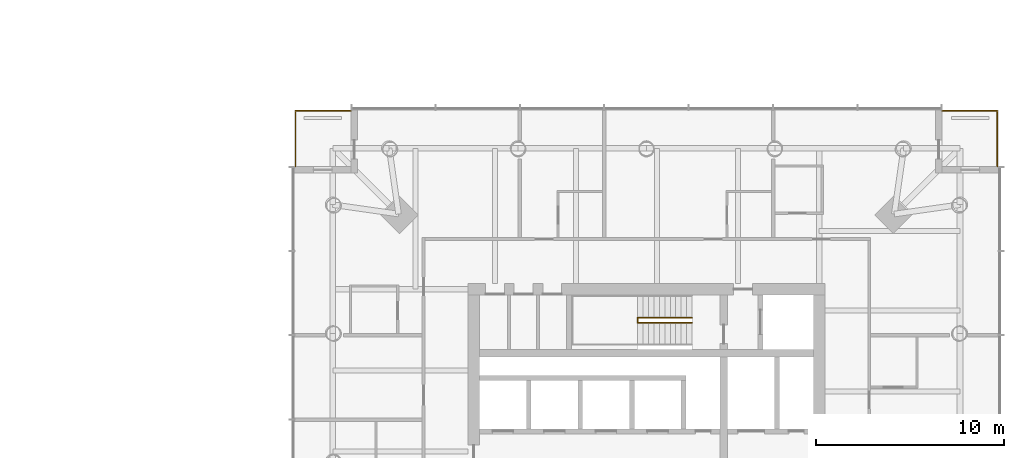
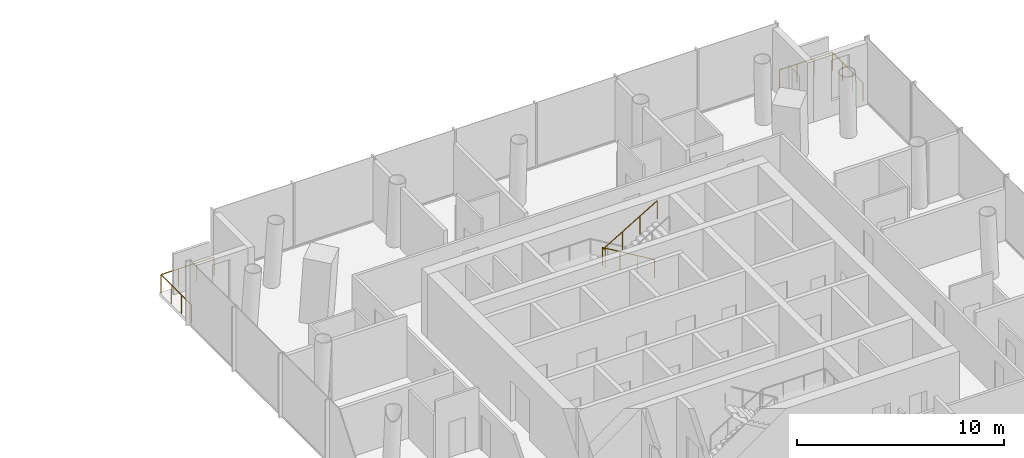
# One storey, part 18 of 18: 3 railings.
"""IFC4 building model written with IfcOpenShell, lengths in metres."""

import ifcopenshell
import ifcopenshell.guid

model = None  # the IFC model being written
_history = None  # IfcOwnerHistory: only IFC2X3 demands one
_inside = {}  # id of a spatial element -> (the spatial element, [elements in it])
_under = {}  # id of a project, library or spatial element -> (it, [spatial elements below it])
_declared = {}  # id of a project -> (the project, [libraries it declares])
_typed = {}  # id of a type object -> (the type object, [elements of that type])
_made_of = {}  # id of a material, layer set ... -> (it, [elements and type objects made of it])


def new_model(schema):
    """Start an empty IFC model of exactly this schema.

    Asked for "IFC4X3", IfcOpenShell would pick the latest addendum, in which some entities
    have other attributes; the version numbers below select the first issue.
    IFC2X3 requires an IfcOwnerHistory on every rooted entity: one is made here for all.
    """
    global model, _history
    if schema == "IFC4X3":
        model = ifcopenshell.file(schema_version=(4, 3, 0, 0))
    else:
        model = ifcopenshell.file(schema=schema)
    _inside.clear()
    _under.clear()
    _declared.clear()
    _typed.clear()
    _made_of.clear()
    _history = None
    if model.schema == "IFC2X3":
        org = make("IfcOrganization", Name="unknown")
        user = make(
            "IfcPersonAndOrganization",
            ThePerson=make("IfcPerson", FamilyName="unknown"),
            TheOrganization=org,
        )
        app = make(
            "IfcApplication",
            ApplicationDeveloper=org,
            Version="unknown",
            ApplicationFullName="unknown",
            ApplicationIdentifier="unknown",
        )
        _history = make(
            "IfcOwnerHistory",
            OwningUser=user,
            OwningApplication=app,
            ChangeAction="ADDED",
            CreationDate=0,
        )
    return model


def make(cls, **values):
    """One entity of the class cls with the attributes given. An attribute that is None is left unset."""
    return model.create_entity(
        cls, **{name: value for name, value in values.items() if value is not None}
    )


def rooted(cls, **values):
    """An entity with a GlobalId (a new one), such as an element, a storey or a relation."""
    return make(cls, GlobalId=ifcopenshell.guid.new(), OwnerHistory=_history, **values)


def si_unit(unit_type, name, prefix=None):
    """IfcSIUnit, for example si_unit("LENGTHUNIT", "METRE", prefix="MILLI")."""
    return make("IfcSIUnit", UnitType=unit_type, Prefix=prefix, Name=name)


def assignment(units):
    """IfcUnitAssignment: the units of a project."""
    return None if units is None else make("IfcUnitAssignment", Units=units)


def point(xyz):
    """IfcCartesianPoint."""
    return None if xyz is None else make("IfcCartesianPoint", Coordinates=xyz)


def direction(xyz):
    """IfcDirection."""
    return None if xyz is None else make("IfcDirection", DirectionRatios=xyz)


def frame(location, z_axis=None, x_axis=None):
    """IfcAxis2Placement3D, a coordinate frame: its origin and axes. An axis left out is left unset."""
    return make(
        "IfcAxis2Placement3D",
        Location=point(location),
        Axis=direction(z_axis),
        RefDirection=direction(x_axis),
    )


def frame_2d(location, x_axis=None):
    """IfcAxis2Placement2D, a coordinate frame in the plane: its origin and x axis."""
    return make(
        "IfcAxis2Placement2D", Location=point(location), RefDirection=direction(x_axis)
    )


def origin():
    """The frame at (0, 0, 0) with its axes left unset."""
    return frame((0.0, 0.0, 0.0))


def origin_2d():
    """The frame at (0, 0) in the plane with its x axis left unset."""
    return frame_2d((0.0, 0.0))


def place(relative_to, where):
    """IfcLocalPlacement: puts the frame where relative to a parent placement (None: the world)."""
    return make(
        "IfcLocalPlacement", PlacementRelTo=relative_to, RelativePlacement=where
    )


def context(
    kind, dimensions, precision=None, world=None, true_north=None, identifier=None
):
    """IfcGeometricRepresentationContext, for example the 3D "Model" context."""
    return make(
        "IfcGeometricRepresentationContext",
        ContextIdentifier=identifier,
        ContextType=kind,
        CoordinateSpaceDimension=dimensions,
        Precision=precision,
        WorldCoordinateSystem=world,
        TrueNorth=true_north,
    )


def subcontext(parent, identifier, kind, view, scale=None):
    """IfcGeometricRepresentationSubContext, for example "Body" below "Model"."""
    return make(
        "IfcGeometricRepresentationSubContext",
        ContextIdentifier=identifier,
        ContextType=kind,
        ParentContext=parent,
        TargetScale=scale,
        TargetView=view,
    )


def project(units=None, contexts=None):
    """IfcProject with its units and contexts."""
    return rooted(
        "IfcProject",
        Name="project",
        RepresentationContexts=contexts,
        UnitsInContext=assignment(units),
    )


def spatial(cls, under=None, at=None, **own):
    """A site, building, storey or space (cls), placed at a placement, below another one or the project."""
    s = rooted(cls, ObjectPlacement=at, **own)
    if under is not None:
        _under.setdefault(under.id(), (under, []))[1].append(s)
    return s


def profile(cls, at=None, kind="AREA", **sizes):
    """A parametric profile (cls). Its sizes go by their IFC names, for example OverallWidth=200.0."""
    return make(cls, ProfileType=kind, Position=at, **sizes)


def circle(**sizes):
    """IfcCircleProfileDef."""
    return profile("IfcCircleProfileDef", **sizes)


def extrude(swept, where, along, depth):
    """IfcExtrudedAreaSolid: the profile swept, set in the frame where, extruded along a direction by depth."""
    return make(
        "IfcExtrudedAreaSolid",
        SweptArea=swept,
        Position=where,
        ExtrudedDirection=direction(along),
        Depth=depth,
    )


def shape(context_of_items, identifier, shape_type, items):
    """IfcShapeRepresentation: the items that make up one representation, for example the "Body"."""
    return make(
        "IfcShapeRepresentation",
        ContextOfItems=context_of_items,
        RepresentationIdentifier=identifier,
        RepresentationType=shape_type,
        Items=items,
    )


def material(Name=None, Category=None):
    """IfcMaterial."""
    return make("IfcMaterial", Name=Name, Category=Category)


def made_of(thing, what):
    """Note that an element or type object is made of a material, layer set ...; save() writes the relation."""
    if what is not None:
        _made_of.setdefault(what.id(), (what, []))[1].append(thing)
    return thing


def type_object(cls, material=None, **own):
    """A type object (cls), such as IfcWallType, which elements share."""
    return made_of(rooted(cls, **own), material)


def element(
    cls,
    number,
    at=None,
    inside=None,
    cuts=None,
    type_object=None,
    material=None,
    context=None,
    identifier="Body",
    shape_type=None,
    held_by="IfcProductDefinitionShape",
    body=None,
    shapes=None,
    **own,
):
    """One element of the class cls, such as IfcWall. Its Tag is "e" and its number.

    at: its placement. inside: the storey or other place that contains it. cuts: it is an
    opening in that element (IfcRelVoidsElement). A single representation is given by context,
    identifier, shape_type and body (its items); several are given by shapes. held_by: the class
    of the entity that holds the representations. save() writes the other relations.
    """
    e = rooted(cls, Tag="e%d" % number, ObjectPlacement=at, **own)
    if body is not None:
        shapes = [shape(context, identifier, shape_type, body)]
    if shapes is not None:
        e.Representation = make(held_by, Representations=shapes)
    if inside is not None:
        _inside.setdefault(inside.id(), (inside, []))[1].append(e)
    if cuts is not None:
        rooted(
            "IfcRelVoidsElement", RelatingBuildingElement=cuts, RelatedOpeningElement=e
        )
    if type_object is not None:
        _typed.setdefault(type_object.id(), (type_object, []))[1].append(e)
    return made_of(e, material)


def aggregate(whole, parts):
    """IfcRelAggregates: a whole, such as a stair, and the parts it consists of."""
    return rooted("IfcRelAggregates", RelatingObject=whole, RelatedObjects=parts)


def save(model, path):
    """Write the relations noted so far, then the file.

    IfcRelAggregates (storeys below a building ...), IfcRelContainedInSpatialStructure (elements
    in a storey), IfcRelDefinesByType, IfcRelAssociatesMaterial and IfcRelDeclares: one each for
    every whole, place, type object, material and project.
    """
    for whole, parts in _under.values():
        aggregate(whole, parts)
    for where, things in _inside.values():
        rooted(
            "IfcRelContainedInSpatialStructure",
            RelatedElements=things,
            RelatingStructure=where,
        )
    for kind, things in _typed.values():
        rooted("IfcRelDefinesByType", RelatedObjects=things, RelatingType=kind)
    for what, things in _made_of.values():
        rooted("IfcRelAssociatesMaterial", RelatedObjects=things, RelatingMaterial=what)
    for by, libraries in _declared.values():
        rooted("IfcRelDeclares", RelatingContext=by, RelatedDefinitions=libraries)
    model.write(path)


model = new_model("IFC4")

# Units and contexts
model_context = context("Model", 3, precision=1e-05, world=origin(), true_north=direction((0.0, 1.0)))
body_context = subcontext(model_context, "Body", "Model", "MODEL_VIEW")
ifc_project = project(units=[si_unit("LENGTHUNIT", "METRE"), si_unit("AREAUNIT", "SQUARE_METRE"), si_unit("VOLUMEUNIT", "CUBIC_METRE"), si_unit("PLANEANGLEUNIT", "RADIAN"), si_unit("MASSUNIT", "GRAM", prefix="KILO")], contexts=[model_context])

# Site, building, storey
site_placement = place(None, origin())
site = spatial("IfcSite", under=ifc_project, at=site_placement, CompositionType="ELEMENT")
building_placement = place(site_placement, origin())
building = spatial("IfcBuilding", under=site, at=building_placement, Name="Ostroluk Exchange", CompositionType="ELEMENT")
storey_placement = place(building_placement, frame((0.0, 0.0, 74.199951171875)))
storey = spatial("IfcBuildingStorey", under=building, at=storey_placement, Name="L18", CompositionType="ELEMENT", Elevation=74.199951171875)

# Railings
ifc_material_1 = material(Name="Stainless steel", Category="steel")
railing_type_1 = type_object("IfcRailingType", Name="Guard 1100 stainless steel", PredefinedType="GUARDRAIL", material=ifc_material_1)
railing_1_placement = place(storey_placement, frame((132.75, 64.699951171875, 0.0)))
element("IfcRailing", 1, at=railing_1_placement, inside=storey, type_object=railing_type_1, Name="Hotel tower NE balcony guard L18", PredefinedType="GUARDRAIL", context=body_context, shape_type="SweptSolid", body=[
    extrude(circle(Radius=0.02392578125, at=origin_2d()), frame((0.0, 0.0, 1.076171875), z_axis=(1.0, 0.0, 0.0), x_axis=(0.0, 1.0, 0.0)), (0.0, 0.0, 1.0), 2.949951171875),
    extrude(circle(Radius=0.02392578125, at=origin_2d()), frame((2.949951171875, 0.0, 1.076171875), z_axis=(0.0, -1.0, 0.0), x_axis=(1.0, 0.0, 0.0)), (0.0, 0.0, 1.0), 2.949951171875),
    extrude(circle(Radius=0.02099609375, at=origin_2d()), origin(), (0.0, 0.0, 1.0), 1.052001953125),
    extrude(circle(Radius=0.02099609375, at=origin_2d()), frame((0.9833984375, 0.0, 0.0)), (0.0, 0.0, 1.0), 1.052001953125),
    extrude(circle(Radius=0.02099609375, at=origin_2d()), frame((1.966552734375, 0.0, 0.0)), (0.0, 0.0, 1.0), 1.052001953125),
    extrude(circle(Radius=0.02099609375, at=origin_2d()), frame((2.949951171875, 0.0, 0.0)), (0.0, 0.0, 1.0), 1.052001953125),
    extrude(circle(Radius=0.02099609375, at=origin_2d()), frame((2.949951171875, -0.9833984375, 0.0)), (0.0, 0.0, 1.0), 1.052001953125),
    extrude(circle(Radius=0.02099609375, at=origin_2d()), frame((2.949951171875, -1.966552734375, 0.0)), (0.0, 0.0, 1.0), 1.052001953125),
    extrude(circle(Radius=0.02099609375, at=origin_2d()), frame((2.949951171875, -2.949951171875, 0.0)), (0.0, 0.0, 1.0), 1.052001953125),
])
railing_2_placement = place(storey_placement, frame((101.25, 64.699951171875, 0.0)))
element("IfcRailing", 2, at=railing_2_placement, inside=storey, type_object=railing_type_1, Name="Hotel tower NW balcony guard L18", PredefinedType="GUARDRAIL", context=body_context, shape_type="SweptSolid", body=[
    extrude(circle(Radius=0.02392578125, at=origin_2d()), frame((0.0, 0.0, 1.076171875), z_axis=(-1.0, 0.0, 0.0), x_axis=(0.0, -1.0, 0.0)), (0.0, 0.0, 1.0), 2.949951171875),
    extrude(circle(Radius=0.02392578125, at=origin_2d()), frame((-2.949951171875, 0.0, 1.076171875), z_axis=(0.0, -1.0, 0.0), x_axis=(1.0, 0.0, 0.0)), (0.0, 0.0, 1.0), 2.949951171875),
    extrude(circle(Radius=0.02099609375, at=origin_2d()), origin(), (0.0, 0.0, 1.0), 1.052001953125),
    extrude(circle(Radius=0.02099609375, at=origin_2d()), frame((-0.9833984375, 0.0, 0.0)), (0.0, 0.0, 1.0), 1.052001953125),
    extrude(circle(Radius=0.02099609375, at=origin_2d()), frame((-1.966552734375, 0.0, 0.0)), (0.0, 0.0, 1.0), 1.052001953125),
    extrude(circle(Radius=0.02099609375, at=origin_2d()), frame((-2.949951171875, 0.0, 0.0)), (0.0, 0.0, 1.0), 1.052001953125),
    extrude(circle(Radius=0.02099609375, at=origin_2d()), frame((-2.949951171875, -0.9833984375, 0.0)), (0.0, 0.0, 1.0), 1.052001953125),
    extrude(circle(Radius=0.02099609375, at=origin_2d()), frame((-2.949951171875, -1.966552734375, 0.0)), (0.0, 0.0, 1.0), 1.052001953125),
    extrude(circle(Radius=0.02099609375, at=origin_2d()), frame((-2.949951171875, -2.949951171875, 0.0)), (0.0, 0.0, 1.0), 1.052001953125),
])
ifc_material_2 = material(Name="Steel S355", Category="steel")
railing_type_2 = type_object("IfcRailingType", Name="Stair guard 1100", PredefinedType="GUARDRAIL", material=ifc_material_2)
railing_3_placement = place(storey_placement, frame((119.429931640625, 53.679931640625, 0.1728515625)))
element("IfcRailing", 3, at=railing_3_placement, inside=storey, type_object=railing_type_2, Name="Stair T2-S2 guard L18", PredefinedType="GUARDRAIL", context=body_context, shape_type="SweptSolid", body=[
    extrude(circle(Radius=0.02392578125, at=origin_2d()), frame((0.0, 0.0, 1.076171875), z_axis=(-0.859141464434, 0.0, 0.511738159696), x_axis=(0.0, -1.0, 0.0)), (0.0, 0.0, 1.0), 3.375244140625),
    extrude(circle(Radius=0.02392578125, at=origin_2d()), frame((-2.89990234375, 0.0, 2.80322265625), z_axis=(0.0, -1.0, 0.0), x_axis=(1.0, 0.0, 0.0)), (0.0, 0.0, 1.0), 0.260009765625),
    extrude(circle(Radius=0.02392578125, at=origin_2d()), frame((-2.89990234375, -0.260009765625, 2.80322265625), z_axis=(0.0, 0.0, 1.0), x_axis=(1.0, 0.0, 0.0)), (0.0, 0.0, 1.0), 0.172607421875),
    extrude(circle(Radius=0.02392578125, at=origin_2d()), frame((-2.89990234375, -0.260009765625, 2.97607421875), z_axis=(0.859141464434, 0.0, 0.511738159696), x_axis=(0.0, 1.0, 0.0)), (0.0, 0.0, 1.0), 3.375244140625),
    extrude(circle(Radius=0.02099609375, at=origin_2d()), origin(), (0.0, 0.0, 1.0), 1.052001953125),
    extrude(circle(Radius=0.02099609375, at=origin_2d()), frame((-0.966552734375, 0.0, 0.57568359375)), (0.0, 0.0, 1.0), 1.052001953125),
    extrude(circle(Radius=0.02099609375, at=origin_2d()), frame((-1.933349609375, 0.0, 1.151611328125)), (0.0, 0.0, 1.0), 1.052001953125),
    extrude(circle(Radius=0.02099609375, at=origin_2d()), frame((-2.89990234375, 0.0, 1.727294921875)), (0.0, 0.0, 1.0), 1.052001953125),
    extrude(circle(Radius=0.02099609375, at=origin_2d()), frame((-2.89990234375, -0.260009765625, 1.727294921875)), (0.0, 0.0, 1.0), 1.052001953125),
    extrude(circle(Radius=0.02099609375, at=origin_2d()), frame((-2.89990234375, -0.260009765625, 1.89990234375)), (0.0, 0.0, 1.0), 1.052001953125),
    extrude(circle(Radius=0.02099609375, at=origin_2d()), frame((-1.933349609375, -0.260009765625, 2.4755859375)), (0.0, 0.0, 1.0), 1.052001953125),
    extrude(circle(Radius=0.02099609375, at=origin_2d()), frame((-0.966552734375, -0.260009765625, 3.051513671875)), (0.0, 0.0, 1.0), 1.052001953125),
    extrude(circle(Radius=0.02099609375, at=origin_2d()), frame((0.0, -0.260009765625, 3.627197265625)), (0.0, 0.0, 1.0), 1.052001953125),
])

save(model, "model.ifc")
